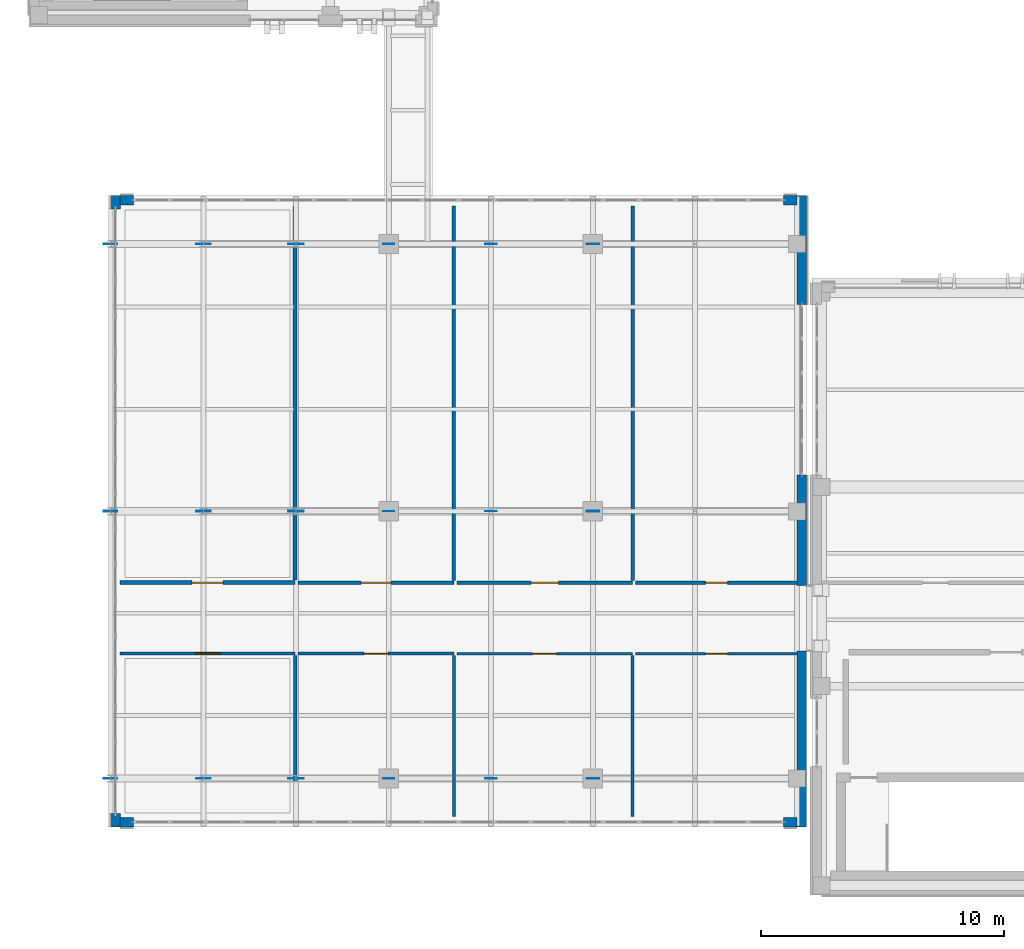
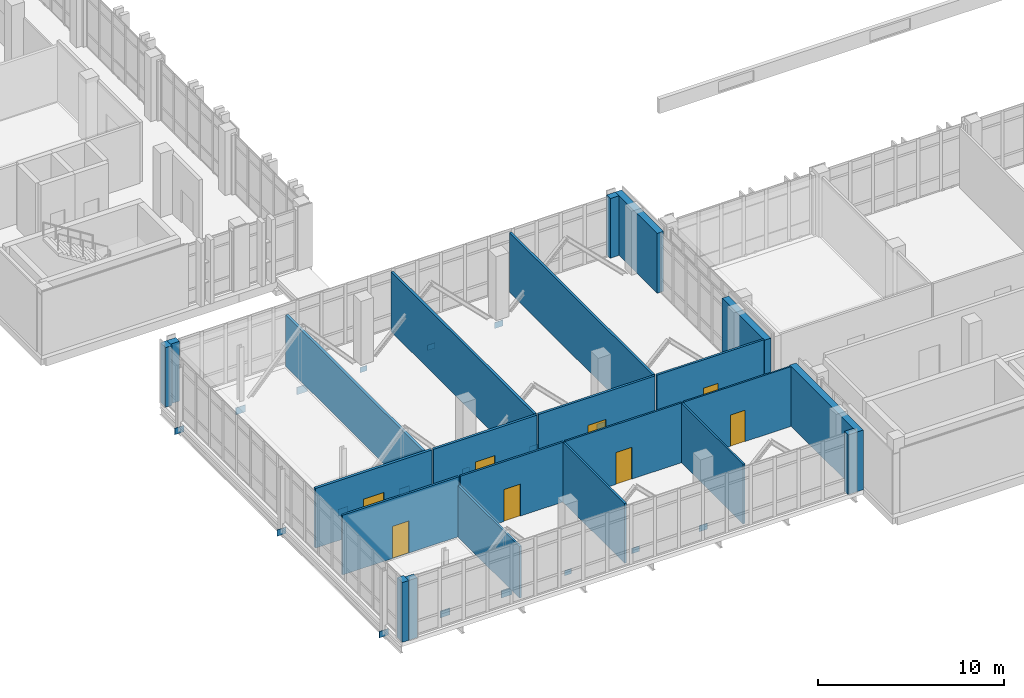
# One storey, part 128 of 158: 23 walls, 18 plates, 8 doors, 8 openings.
"""IFC4 building model written with IfcOpenShell, lengths in metres."""

from ifc_helpers import new_model, si_unit, direction, frame, frame_2d, origin, origin_2d, place, context, subcontext, project, spatial, rectangle, extrude, material, layer, layer_set, type_object, element, fill, save


model = new_model("IFC4")

# Units and contexts
model_context = context("Model", 3, precision=1e-05, world=origin(), true_north=direction((0.0, 1.0)))
body_context = subcontext(model_context, "Body", "Model", "MODEL_VIEW")
ifc_project = project(units=[si_unit("LENGTHUNIT", "METRE"), si_unit("AREAUNIT", "SQUARE_METRE"), si_unit("VOLUMEUNIT", "CUBIC_METRE"), si_unit("PLANEANGLEUNIT", "RADIAN"), si_unit("MASSUNIT", "GRAM", prefix="KILO")], contexts=[model_context])

# Site, building, storey
site_placement = place(None, origin())
site = spatial("IfcSite", under=ifc_project, at=site_placement, CompositionType="ELEMENT")
building_placement = place(site_placement, origin())
building = spatial("IfcBuilding", under=site, at=building_placement, Name="Qalavern Law Courts", CompositionType="ELEMENT")
storey_placement = place(building_placement, frame((0.0, 0.0, 18.60009765625)))
storey = spatial("IfcBuildingStorey", under=building, at=storey_placement, Name="L04", CompositionType="ELEMENT", Elevation=18.60009765625)

# Plates
ifc_material_1 = material(Name="Steel S355", Category="steel")
ifc_layer_1 = layer(ifc_material_1, 0.035888671875)
ifc_layer_set_1 = layer_set([ifc_layer_1], Name="Steel S355")
plate_type_1 = type_object("IfcPlateType", Name="STR-GP-TN1", PredefinedType="USERDEFINED", material=ifc_layer_set_1)
for number, where, z_axis, x_axis, name in (
    (1, (12.9833984375, 10.0, -0.844970703125), (0.0, 0.0, 1.0), (1.0, 0.0, 0.0), "Truss node gusset plate TN1 T1-L04-4"),
    (2, (12.9833984375, 21.0, -0.844970703125), (0.0, 0.0, 1.0), (1.0, 0.0, 0.0), "Truss node gusset plate TN1 T2-L04-4"),
    (3, (12.9833984375, 32.0, -0.844970703125), (0.0, 0.0, 1.0), (1.0, 0.0, 0.0), "Truss node gusset plate TN1 T3-L04-4"),
):
    element("IfcPlate", number, at=place(storey_placement, frame(where, z_axis=z_axis, x_axis=x_axis)), inside=storey, type_object=plate_type_1, Name=name, ObjectType="GUSSET PLATE", PredefinedType="USERDEFINED", context=body_context, shape_type="SweptSolid", body=[
        extrude(rectangle(XDim=0.64990234375, YDim=0.035888671875, at=origin_2d()), origin(), (0.0, 0.0, 1.0), 0.47998046875),
    ])
ifc_layer_2 = layer(ifc_material_1, 0.031982421875)
ifc_layer_set_2 = layer_set([ifc_layer_2], Name="Steel S355")
plate_type_2 = type_object("IfcPlateType", Name="STR-GP-TN2", PredefinedType="USERDEFINED", material=ifc_layer_set_2)
for number, where, z_axis, x_axis, name in (
    (4, (9.166748046875, 10.0, -0.830078125), (0.0, 0.0, 1.0), (1.0, 0.0, 0.0), "Truss node gusset plate TN2 T1-L04-5"),
    (5, (9.166748046875, 21.0, -0.830078125), (0.0, 0.0, 1.0), (1.0, 0.0, 0.0), "Truss node gusset plate TN2 T2-L04-5"),
    (6, (9.166748046875, 32.0, -0.830078125), (0.0, 0.0, 1.0), (1.0, 0.0, 0.0), "Truss node gusset plate TN2 T3-L04-5"),
):
    element("IfcPlate", number, at=place(storey_placement, frame(where, z_axis=z_axis, x_axis=x_axis)), inside=storey, type_object=plate_type_2, Name=name, ObjectType="GUSSET PLATE", PredefinedType="USERDEFINED", context=body_context, shape_type="SweptSolid", body=[
        extrude(rectangle(XDim=0.60009765625, YDim=0.031982421875, at=origin_2d()), origin(), (0.0, 0.0, 1.0), 0.449951171875),
    ])
ifc_layer_3 = layer(ifc_material_1, 0.028076171875)
ifc_layer_set_3 = layer_set([ifc_layer_3], Name="Steel S355")
plate_type_3 = type_object("IfcPlateType", Name="STR-GP-TN3", PredefinedType="USERDEFINED", material=ifc_layer_set_3)
for number, where, z_axis, x_axis, name in (
    (7, (5.35009765625, 10.0, -0.81494140625), (0.0, 0.0, 1.0), (1.0, 0.0, 0.0), "Truss node gusset plate TN3 T1-L04-6"),
    (8, (5.35009765625, 21.0, -0.81494140625), (0.0, 0.0, 1.0), (1.0, 0.0, 0.0), "Truss node gusset plate TN3 T2-L04-6"),
    (9, (5.35009765625, 32.0, -0.81494140625), (0.0, 0.0, 1.0), (1.0, 0.0, 0.0), "Truss node gusset plate TN3 T3-L04-6"),
):
    element("IfcPlate", number, at=place(storey_placement, frame(where, z_axis=z_axis, x_axis=x_axis)), inside=storey, type_object=plate_type_3, Name=name, ObjectType="GUSSET PLATE", PredefinedType="USERDEFINED", context=body_context, shape_type="SweptSolid", body=[
        extrude(rectangle(XDim=0.56005859375, YDim=0.028076171875, at=origin_2d()), origin(), (0.0, 0.0, 1.0), 0.419921875),
    ])
ifc_layer_4 = layer(ifc_material_1, 0.02392578125)
ifc_layer_set_4 = layer_set([ifc_layer_4], Name="Steel S355")
plate_type_4 = type_object("IfcPlateType", Name="STR-GP-TN4", PredefinedType="USERDEFINED", material=ifc_layer_set_4)
for number, where, z_axis, x_axis, name in (
    (10, (25.199951171875, 10.0, -0.804931640625), (0.0, 0.0, 1.0), (1.0, 0.0, 0.0), "Truss node gusset plate TN4 T1-L04-1"),
    (11, (25.199951171875, 21.0, -0.804931640625), (0.0, 0.0, 1.0), (1.0, 0.0, 0.0), "Truss node gusset plate TN4 T2-L04-1"),
    (12, (25.199951171875, 32.0, -0.804931640625), (0.0, 0.0, 1.0), (1.0, 0.0, 0.0), "Truss node gusset plate TN4 T3-L04-1"),
):
    element("IfcPlate", number, at=place(storey_placement, frame(where, z_axis=z_axis, x_axis=x_axis)), inside=storey, type_object=plate_type_4, Name=name, ObjectType="GUSSET PLATE", PredefinedType="USERDEFINED", context=body_context, shape_type="SweptSolid", body=[
        extrude(rectangle(XDim=0.52001953125, YDim=0.02392578125, at=origin_2d()), origin(), (0.0, 0.0, 1.0), 0.39990234375),
    ])
ifc_layer_5 = layer(ifc_material_1, 0.02001953125)
ifc_layer_set_5 = layer_set([ifc_layer_5], Name="Steel S355")
plate_type_5 = type_object("IfcPlateType", Name="STR-GP-TN5", PredefinedType="USERDEFINED", material=ifc_layer_set_5)
for number, where, z_axis, x_axis, name in (
    (13, (21.0, 10.0, -0.78515625), (0.0, 0.0, 1.0), (1.0, 0.0, 0.0), "Truss node gusset plate TN5 T1-L04-2"),
    (14, (21.0, 21.0, -0.78515625), (0.0, 0.0, 1.0), (1.0, 0.0, 0.0), "Truss node gusset plate TN5 T2-L04-2"),
    (15, (21.0, 32.0, -0.78515625), (0.0, 0.0, 1.0), (1.0, 0.0, 0.0), "Truss node gusset plate TN5 T3-L04-2"),
):
    element("IfcPlate", number, at=place(storey_placement, frame(where, z_axis=z_axis, x_axis=x_axis)), inside=storey, type_object=plate_type_5, Name=name, ObjectType="GUSSET PLATE", PredefinedType="USERDEFINED", context=body_context, shape_type="SweptSolid", body=[
        extrude(rectangle(XDim=0.47998046875, YDim=0.02001953125, at=origin_2d()), origin(), (0.0, 0.0, 1.0), 0.360107421875),
    ])
ifc_layer_6 = layer(ifc_material_1, 0.01611328125)
ifc_layer_set_6 = layer_set([ifc_layer_6], Name="Steel S355")
plate_type_6 = type_object("IfcPlateType", Name="STR-GP-TN6", PredefinedType="USERDEFINED", material=ifc_layer_set_6)
for number, where, z_axis, x_axis, name in (
    (16, (16.800048828125, 10.0, -0.77490234375), (0.0, 0.0, 1.0), (1.0, 0.0, 0.0), "Truss node gusset plate TN6 T1-L04-3"),
    (17, (16.800048828125, 21.0, -0.77490234375), (0.0, 0.0, 1.0), (1.0, 0.0, 0.0), "Truss node gusset plate TN6 T2-L04-3"),
    (18, (16.800048828125, 32.0, -0.77490234375), (0.0, 0.0, 1.0), (1.0, 0.0, 0.0), "Truss node gusset plate TN6 T3-L04-3"),
):
    element("IfcPlate", number, at=place(storey_placement, frame(where, z_axis=z_axis, x_axis=x_axis)), inside=storey, type_object=plate_type_6, Name=name, ObjectType="GUSSET PLATE", PredefinedType="USERDEFINED", context=body_context, shape_type="SweptSolid", body=[
        extrude(rectangle(XDim=0.43994140625, YDim=0.01611328125, at=origin_2d()), origin(), (0.0, 0.0, 1.0), 0.340087890625),
    ])

# Walls
ifc_material_2 = material(Name="Concrete C40/50", Category="concrete")
ifc_layer_7 = layer(ifc_material_2, 0.39990234375)
ifc_layer_set_7 = layer_set([ifc_layer_7], Name="Concrete C40/50")
wall_type_1 = type_object("IfcWallType", Name="ENV-EW-400", PredefinedType="SOLIDWALL", material=ifc_layer_set_7)
wall_1_placement = place(storey_placement, frame((5.7451171875, 8.199951171875, 0.0), z_axis=(0.0, 0.0, 1.0), x_axis=(1.0, 0.0, 0.0)))
element("IfcWall", 19, at=wall_1_placement, inside=storey, type_object=wall_type_1, Name="V1 exterior pier wall L04 south 1", PredefinedType="SOLIDWALL", context=body_context, shape_type="SweptSolid", body=[
    extrude(rectangle(XDim=0.5498046875, YDim=0.39990234375, at=frame_2d((0.27490234375, 0.0))), origin(), (0.0, 0.0, 1.0), 3.9248046875),
])
wall_2_placement = place(storey_placement, frame((33.054931640625, 8.199951171875, 0.0), z_axis=(0.0, 0.0, 1.0), x_axis=(1.0, 0.0, 0.0)))
element("IfcWall", 20, at=wall_2_placement, inside=storey, type_object=wall_type_1, Name="V1 exterior pier wall L04 south 2", PredefinedType="SOLIDWALL", context=body_context, shape_type="SweptSolid", body=[
    extrude(rectangle(XDim=0.550048828125, YDim=0.39990234375, at=frame_2d((0.27490234375, 0.0))), origin(), (0.0, 0.0, 1.0), 3.9248046875),
])
wall_3_placement = place(storey_placement, frame((33.800048828125, 8.0, 0.0), z_axis=(0.0, 0.0, 1.0), x_axis=(0.0, 1.0, 0.0)))
element("IfcWall", 21, at=wall_3_placement, inside=storey, type_object=wall_type_1, Name="V1 exterior wall L04 east 1", PredefinedType="SOLIDWALL", context=body_context, shape_type="SweptSolid", body=[
    extrude(rectangle(XDim=7.25, YDim=0.39990234375, at=frame_2d((3.625, 0.0))), origin(), (0.0, 0.0, 1.0), 3.9248046875),
])
wall_4_placement = place(storey_placement, frame((33.800048828125, 17.949951171875, 0.0), z_axis=(0.0, 0.0, 1.0), x_axis=(0.0, 1.0, 0.0)))
element("IfcWall", 22, at=wall_4_placement, inside=storey, type_object=wall_type_1, Name="V1 exterior pier wall L04 east 1", PredefinedType="SOLIDWALL", context=body_context, shape_type="SweptSolid", body=[
    extrude(rectangle(XDim=4.550048828125, YDim=0.39990234375, at=frame_2d((2.27490234375, 0.0))), origin(), (0.0, 0.0, 1.0), 3.9248046875),
])
wall_5_placement = place(storey_placement, frame((33.800048828125, 29.5, 0.0), z_axis=(0.0, 0.0, 1.0), x_axis=(0.0, 1.0, 0.0)))
element("IfcWall", 23, at=wall_5_placement, inside=storey, type_object=wall_type_1, Name="V1 exterior pier wall L04 east 2", PredefinedType="SOLIDWALL", context=body_context, shape_type="SweptSolid", body=[
    extrude(rectangle(XDim=4.5, YDim=0.39990234375, at=frame_2d((2.25, 0.0))), origin(), (0.0, 0.0, 1.0), 3.9248046875),
])
wall_6_placement = place(storey_placement, frame((33.60498046875, 33.800048828125, 0.0), z_axis=(0.0, 0.0, 1.0), x_axis=(-1.0, 0.0, 0.0)))
element("IfcWall", 24, at=wall_6_placement, inside=storey, type_object=wall_type_1, Name="V1 exterior pier wall L04 north 1", PredefinedType="SOLIDWALL", context=body_context, shape_type="SweptSolid", body=[
    extrude(rectangle(XDim=0.550048828125, YDim=0.39990234375, at=frame_2d((0.27490234375, 0.0))), origin(), (0.0, 0.0, 1.0), 3.9248046875),
])
wall_7_placement = place(storey_placement, frame((6.294921875, 33.800048828125, 0.0), z_axis=(0.0, 0.0, 1.0), x_axis=(-1.0, 0.0, 0.0)))
element("IfcWall", 25, at=wall_7_placement, inside=storey, type_object=wall_type_1, Name="V1 exterior pier wall L04 north 2", PredefinedType="SOLIDWALL", context=body_context, shape_type="SweptSolid", body=[
    extrude(rectangle(XDim=0.5498046875, YDim=0.39990234375, at=frame_2d((0.27490234375, 0.0))), origin(), (0.0, 0.0, 1.0), 3.9248046875),
])
for number, where, z_axis, x_axis, name in (
    (26, (5.550048828125, 34.0, 0.0), (0.0, 0.0, 1.0), (0.0, -1.0, 0.0), "V1 exterior pier wall L04 west 1"),
    (27, (5.550048828125, 8.550048828125, 0.0), (0.0, 0.0, 1.0), (0.0, -1.0, 0.0), "V1 exterior pier wall L04 west 2"),
):
    element("IfcWall", number, at=place(storey_placement, frame(where, z_axis=z_axis, x_axis=x_axis)), inside=storey, type_object=wall_type_1, Name=name, PredefinedType="SOLIDWALL", context=body_context, shape_type="SweptSolid", body=[
        extrude(rectangle(XDim=0.550048828125, YDim=0.39990234375, at=frame_2d((0.27490234375, 0.0))), origin(), (0.0, 0.0, 1.0), 3.9248046875),
    ])

# Wall, opening, door
ifc_material_3 = material(Name="Gypsum sanitary partition")
ifc_layer_8 = layer(ifc_material_3, 0.10205078125)
ifc_layer_set_8 = layer_set([ifc_layer_8], Name="Gypsum sanitary partition")
wall_type_2 = type_object("IfcWallType", Name="INT-PW-102", PredefinedType="PARTITIONING", material=ifc_layer_set_8)
wall_8_placement = place(storey_placement, frame((26.951904296875, 15.139892578125, 0.0), z_axis=(0.0, 0.0, 1.0), x_axis=(1.0, 0.0, 0.0)))
wall_8 = element("IfcWall", 28, at=wall_8_placement, inside=storey, type_object=wall_type_2, Name="Accessible WC corridor partition L04", PredefinedType="PARTITIONING", context=body_context, shape_type="SweptSolid", body=[
    extrude(rectangle(XDim=6.668212890625, YDim=0.10205078125, at=frame_2d((3.333984375, 0.0))), origin(), (0.0, 0.0, 1.0), 3.9248046875),
])
opening_1_placement = place(wall_8_placement, frame((2.8740234375, 0.0, 0.0)))
opening_1 = element("IfcOpeningElement", 29, at=opening_1_placement, cuts=wall_8, Name="Opening L04-D144", PredefinedType="OPENING", context=body_context, shape_type="SweptSolid", body=[
    extrude(rectangle(XDim=0.919921875, YDim=2.06005859375, at=frame_2d((0.4599609375, 1.030029296875))), frame((0.0, 0.06591796875, 0.0), z_axis=(0.0, -1.0, 0.0), x_axis=(1.0, 0.0, 0.0)), (0.0, 0.0, 1.0), 0.1318359375),
])
ifc_material_4 = material(Name="Public and Staff WC door")
door_type_1 = type_object("IfcDoorType", Name="INT-ID-920x2060", OperationType="NOTDEFINED", PredefinedType="DOOR", material=ifc_material_4)
door_1_placement = place(opening_1_placement, frame((0.919921875, 0.0, 0.0), z_axis=(0.0, 0.0, 1.0), x_axis=(-1.0, 0.0, 0.0)))
door_1 = element("IfcDoor", 30, at=door_1_placement, inside=storey, type_object=door_type_1, Name="Accessible WC door L04", OperationType="SINGLE_SWING_LEFT", OverallHeight=2.06005859375, OverallWidth=0.919921875, PredefinedType="DOOR", context=body_context, shape_type="SweptSolid", body=[
    extrude(rectangle(XDim=0.919921875, YDim=2.06005859375, at=frame_2d((0.4599609375, 1.030029296875))), frame((0.0, 0.02490234375, 0.0), z_axis=(0.0, -1.0, 0.0), x_axis=(1.0, 0.0, 0.0)), (0.0, 0.0, 1.0), 0.050048828125),
])
fill(opening_1, door_1)

ifc_material_5 = material(Name="Gypsum stud partition")
ifc_layer_9 = layer(ifc_material_5, 0.112060546875)
ifc_layer_set_9 = layer_set([ifc_layer_9], Name="Gypsum stud partition")
wall_type_3 = type_object("IfcWallType", Name="INT-PW-112", PredefinedType="PARTITIONING", material=ifc_layer_set_9)
wall_9_placement = place(storey_placement, frame((19.597900390625, 15.139892578125, 0.0), z_axis=(0.0, 0.0, 1.0), x_axis=(1.0, 0.0, 0.0)))
wall_9 = element("IfcWall", 31, at=wall_9_placement, inside=storey, type_object=wall_type_3, Name="Legal Aid Intake Suite corridor partition L04", PredefinedType="PARTITIONING", context=body_context, shape_type="SweptSolid", body=[
    extrude(rectangle(XDim=7.234130859375, YDim=0.112060546875, at=frame_2d((3.6171875, 0.0))), origin(), (0.0, 0.0, 1.0), 3.9248046875),
])
opening_2_placement = place(wall_9_placement, frame((3.126953125, 0.0, 0.0)))
opening_2 = element("IfcOpeningElement", 32, at=opening_2_placement, cuts=wall_9, Name="Opening L04-D143", PredefinedType="OPENING", context=body_context, shape_type="SweptSolid", body=[
    extrude(rectangle(XDim=0.97998046875, YDim=2.090087890625, at=frame_2d((0.489990234375, 1.044921875))), frame((0.0, 0.07080078125, 0.0), z_axis=(0.0, -1.0, 0.0), x_axis=(1.0, 0.0, 0.0)), (0.0, 0.0, 1.0), 0.141845703125),
])
ifc_material_6 = material(Name="Timber Legal Research Office door", Category="wood")
door_type_2 = type_object("IfcDoorType", Name="INT-ID-980x2090", OperationType="NOTDEFINED", PredefinedType="DOOR", material=ifc_material_6)
door_2_placement = place(opening_2_placement, frame((0.97998046875, 0.0, 0.0), z_axis=(0.0, 0.0, 1.0), x_axis=(-1.0, 0.0, 0.0)))
door_2 = element("IfcDoor", 33, at=door_2_placement, inside=storey, type_object=door_type_2, Name="Legal Aid Intake Suite door L04", OperationType="SINGLE_SWING_RIGHT", OverallHeight=2.090087890625, OverallWidth=0.97998046875, PredefinedType="DOOR", context=body_context, shape_type="SweptSolid", body=[
    extrude(rectangle(XDim=0.97998046875, YDim=2.090087890625, at=frame_2d((0.489990234375, 1.044921875))), frame((0.0, 0.02490234375, 0.0), z_axis=(0.0, -1.0, 0.0), x_axis=(1.0, 0.0, 0.0)), (0.0, 0.0, 1.0), 0.050048828125),
])
fill(opening_2, door_2)

# Wall
wall_10_placement = place(storey_placement, frame((26.83203125, 8.43994140625, 0.0), z_axis=(0.0, 0.0, 1.0), x_axis=(0.0, 1.0, 0.0)))
element("IfcWall", 34, at=wall_10_placement, inside=storey, type_object=wall_type_3, Name="Legal Aid Intake Suite cross partition L04 east", PredefinedType="PARTITIONING", context=body_context, shape_type="SweptSolid", body=[
    extrude(rectangle(XDim=6.6240234375, YDim=0.112060546875, at=frame_2d((3.31201171875, 0.0))), origin(), (0.0, 0.0, 1.0), 3.9248046875),
])

# Wall, opening, door
ifc_layer_10 = layer(ifc_material_5, 0.1220703125)
ifc_layer_set_10 = layer_set([ifc_layer_10], Name="Gypsum stud partition")
wall_type_4 = type_object("IfcWallType", Name="INT-PW-122", PredefinedType="PARTITIONING", material=ifc_layer_set_10)
wall_11_placement = place(storey_placement, frame((13.068115234375, 15.139892578125, 0.0), z_axis=(0.0, 0.0, 1.0), x_axis=(1.0, 0.0, 0.0)))
wall_11 = element("IfcWall", 35, at=wall_11_placement, inside=storey, type_object=wall_type_4, Name="Jury Waiting Lounge corridor partition L04", PredefinedType="PARTITIONING", context=body_context, shape_type="SweptSolid", body=[
    extrude(rectangle(XDim=6.409912109375, YDim=0.1220703125, at=frame_2d((3.205078125, 0.0))), origin(), (0.0, 0.0, 1.0), 3.9248046875),
])
opening_3_placement = place(wall_11_placement, frame((2.705078125, 0.0, 0.0)))
opening_3 = element("IfcOpeningElement", 36, at=opening_3_placement, cuts=wall_11, Name="Opening L04-D142", PredefinedType="OPENING", context=body_context, shape_type="SweptSolid", body=[
    extrude(rectangle(XDim=1.0, YDim=2.10009765625, at=frame_2d((0.5, 1.050048828125))), frame((0.0, 0.075927734375, 0.0), z_axis=(0.0, -1.0, 0.0), x_axis=(1.0, 0.0, 0.0)), (0.0, 0.0, 1.0), 0.15185546875),
])
ifc_material_7 = material(Name="Timber Judicial Clerks' Office door", Category="wood")
door_type_3 = type_object("IfcDoorType", Name="INT-ID-1000x2100", OperationType="NOTDEFINED", PredefinedType="DOOR", material=ifc_material_7)
door_3_placement = place(opening_3_placement, frame((1.0, 0.0, 0.0), z_axis=(0.0, 0.0, 1.0), x_axis=(-1.0, 0.0, 0.0)))
door_3 = element("IfcDoor", 37, at=door_3_placement, inside=storey, type_object=door_type_3, Name="Jury Waiting Lounge door L04", OperationType="SINGLE_SWING_LEFT", OverallHeight=2.10009765625, OverallWidth=1.0, PredefinedType="DOOR", context=body_context, shape_type="SweptSolid", body=[
    extrude(rectangle(XDim=1.0, YDim=2.10009765625, at=frame_2d((0.5, 1.050048828125))), frame((0.0, 0.02490234375, 0.0), z_axis=(0.0, -1.0, 0.0), x_axis=(1.0, 0.0, 0.0)), (0.0, 0.0, 1.0), 0.050048828125),
])
fill(opening_3, door_3)

# Wall
wall_12_placement = place(storey_placement, frame((19.47802734375, 8.43994140625, 0.0), z_axis=(0.0, 0.0, 1.0), x_axis=(0.0, 1.0, 0.0)))
element("IfcWall", 38, at=wall_12_placement, inside=storey, type_object=wall_type_4, Name="Jury Waiting Lounge cross partition L04 east", PredefinedType="PARTITIONING", context=body_context, shape_type="SweptSolid", body=[
    extrude(rectangle(XDim=6.619140625, YDim=0.1220703125, at=frame_2d((3.3095703125, 0.0))), origin(), (0.0, 0.0, 1.0), 3.9248046875),
])

# Wall, opening, door
ifc_layer_11 = layer(ifc_material_5, 0.132080078125)
ifc_layer_set_11 = layer_set([ifc_layer_11], Name="Gypsum stud partition")
wall_type_5 = type_object("IfcWallType", Name="INT-PW-132", PredefinedType="PARTITIONING", material=ifc_layer_set_11)
wall_13_placement = place(storey_placement, frame((5.72998046875, 15.139892578125, 0.0), z_axis=(0.0, 0.0, 1.0), x_axis=(1.0, 0.0, 0.0)))
wall_13 = element("IfcWall", 39, at=wall_13_placement, inside=storey, type_object=wall_type_5, Name="Appellate Public Foyer corridor partition L04", PredefinedType="PARTITIONING", context=body_context, shape_type="SweptSolid", body=[
    extrude(rectangle(XDim=7.218017578125, YDim=0.132080078125, at=frame_2d((3.60888671875, 0.0))), origin(), (0.0, 0.0, 1.0), 3.9248046875),
])
opening_4_placement = place(wall_13_placement, frame((3.093994140625, 0.0, 0.0)))
opening_4 = element("IfcOpeningElement", 40, at=opening_4_placement, cuts=wall_13, Name="Opening L04-D141", PredefinedType="OPENING", context=body_context, shape_type="SweptSolid", body=[
    extrude(rectangle(XDim=1.030029296875, YDim=2.110107421875, at=frame_2d((0.51513671875, 1.05517578125))), frame((0.0, 0.0810546875, 0.0), z_axis=(0.0, -1.0, 0.0), x_axis=(1.0, 0.0, 0.0)), (0.0, 0.0, 1.0), 0.161865234375),
])
ifc_material_8 = material(Name="Oak Mediation Suite door")
door_type_4 = type_object("IfcDoorType", Name="INT-ID-1030x2110", OperationType="NOTDEFINED", PredefinedType="DOOR", material=ifc_material_8)
door_4_placement = place(opening_4_placement, frame((1.030029296875, 0.0, 0.0), z_axis=(0.0, 0.0, 1.0), x_axis=(-1.0, 0.0, 0.0)))
door_4 = element("IfcDoor", 41, at=door_4_placement, inside=storey, type_object=door_type_4, Name="Appellate Public Foyer door L04", OperationType="SINGLE_SWING_RIGHT", OverallHeight=2.110107421875, OverallWidth=1.030029296875, PredefinedType="DOOR", context=body_context, shape_type="SweptSolid", body=[
    extrude(rectangle(XDim=1.030029296875, YDim=2.110107421875, at=frame_2d((0.51513671875, 1.05517578125))), frame((0.0, 0.02490234375, 0.0), z_axis=(0.0, -1.0, 0.0), x_axis=(1.0, 0.0, 0.0)), (0.0, 0.0, 1.0), 0.050048828125),
])
fill(opening_4, door_4)

# Wall
wall_14_placement = place(storey_placement, frame((12.947998046875, 8.43994140625, 0.0), z_axis=(0.0, 0.0, 1.0), x_axis=(0.0, 1.0, 0.0)))
element("IfcWall", 42, at=wall_14_placement, inside=storey, type_object=wall_type_5, Name="Appellate Public Foyer cross partition L04 east", PredefinedType="PARTITIONING", context=body_context, shape_type="SweptSolid", body=[
    extrude(rectangle(XDim=6.614013671875, YDim=0.132080078125, at=frame_2d((3.30712890625, 0.0))), origin(), (0.0, 0.0, 1.0), 3.3837890625),
])

# Wall, opening, door
wall_15_placement = place(storey_placement, frame((26.951904296875, 18.06005859375, 0.0), z_axis=(0.0, 0.0, 1.0), x_axis=(1.0, 0.0, 0.0)))
wall_15 = element("IfcWall", 43, at=wall_15_placement, inside=storey, type_object=wall_type_5, Name="Accessible WC corridor partition L04", PredefinedType="PARTITIONING", context=body_context, shape_type="SweptSolid", body=[
    extrude(rectangle(XDim=6.668212890625, YDim=0.132080078125, at=frame_2d((3.333984375, 0.0))), origin(), (0.0, 0.0, 1.0), 3.9248046875),
])
opening_5_placement = place(wall_15_placement, frame((2.8740234375, 0.0, 0.0)))
opening_5 = element("IfcOpeningElement", 44, at=opening_5_placement, cuts=wall_15, Name="Opening L04-D148", PredefinedType="OPENING", context=body_context, shape_type="SweptSolid", body=[
    extrude(rectangle(XDim=0.919921875, YDim=2.06005859375, at=frame_2d((0.4599609375, 1.030029296875))), frame((0.0, 0.0810546875, 0.0), z_axis=(0.0, -1.0, 0.0), x_axis=(1.0, 0.0, 0.0)), (0.0, 0.0, 1.0), 0.161865234375),
])
door_5_placement = place(opening_5_placement, origin())
door_5 = element("IfcDoor", 45, at=door_5_placement, inside=storey, type_object=door_type_1, Name="Accessible WC door L04", OperationType="SINGLE_SWING_LEFT", OverallHeight=2.06005859375, OverallWidth=0.919921875, PredefinedType="DOOR", context=body_context, shape_type="SweptSolid", body=[
    extrude(rectangle(XDim=0.919921875, YDim=2.06005859375, at=frame_2d((0.4599609375, 1.030029296875))), frame((0.0, 0.02490234375, 0.0), z_axis=(0.0, -1.0, 0.0), x_axis=(1.0, 0.0, 0.0)), (0.0, 0.0, 1.0), 0.050048828125),
])
fill(opening_5, door_5)

ifc_layer_12 = layer(ifc_material_5, 0.14208984375)
ifc_layer_set_12 = layer_set([ifc_layer_12], Name="Gypsum stud partition")
wall_type_6 = type_object("IfcWallType", Name="INT-PW-142", PredefinedType="PARTITIONING", material=ifc_layer_set_12)
wall_16_placement = place(storey_placement, frame((19.597900390625, 18.06005859375, 0.0), z_axis=(0.0, 0.0, 1.0), x_axis=(1.0, 0.0, 0.0)))
wall_16 = element("IfcWall", 46, at=wall_16_placement, inside=storey, type_object=wall_type_6, Name="Legal Aid Intake Suite corridor partition L04", PredefinedType="PARTITIONING", context=body_context, shape_type="SweptSolid", body=[
    extrude(rectangle(XDim=7.234130859375, YDim=0.14208984375, at=frame_2d((3.6171875, 0.0))), origin(), (0.0, 0.0, 1.0), 3.9248046875),
])
opening_6_placement = place(wall_16_placement, frame((3.056884765625, 0.0, 0.0)))
opening_6 = element("IfcOpeningElement", 47, at=opening_6_placement, cuts=wall_16, Name="Opening L04-D147", PredefinedType="OPENING", context=body_context, shape_type="SweptSolid", body=[
    extrude(rectangle(XDim=1.1201171875, YDim=2.139892578125, at=frame_2d((0.56005859375, 1.06982421875))), frame((0.0, 0.0859375, 0.0), z_axis=(0.0, -1.0, 0.0), x_axis=(1.0, 0.0, 0.0)), (0.0, 0.0, 1.0), 0.171875),
])
ifc_material_9 = material(Name="Solid oak Appellate Chambers door")
door_type_5 = type_object("IfcDoorType", Name="INT-ID-1120x2140", OperationType="NOTDEFINED", PredefinedType="DOOR", material=ifc_material_9)
door_6_placement = place(opening_6_placement, origin())
door_6 = element("IfcDoor", 48, at=door_6_placement, inside=storey, type_object=door_type_5, Name="Legal Aid Intake Suite door L04", OperationType="SINGLE_SWING_RIGHT", OverallHeight=2.139892578125, OverallWidth=1.1201171875, PredefinedType="DOOR", context=body_context, shape_type="SweptSolid", body=[
    extrude(rectangle(XDim=1.1201171875, YDim=2.139892578125, at=frame_2d((0.56005859375, 1.06982421875))), frame((0.0, 0.02490234375, 0.0), z_axis=(0.0, -1.0, 0.0), x_axis=(1.0, 0.0, 0.0)), (0.0, 0.0, 1.0), 0.050048828125),
])
fill(opening_6, door_6)

# Wall
wall_17_placement = place(storey_placement, frame((26.83203125, 18.15087890625, 0.0), z_axis=(0.0, 0.0, 1.0), x_axis=(0.0, 1.0, 0.0)))
element("IfcWall", 49, at=wall_17_placement, inside=storey, type_object=wall_type_6, Name="Legal Aid Intake Suite cross partition L04 east", PredefinedType="PARTITIONING", context=body_context, shape_type="SweptSolid", body=[
    extrude(rectangle(XDim=15.4091796875, YDim=0.14208984375, at=frame_2d((7.70458984375, 0.0))), origin(), (0.0, 0.0, 1.0), 3.9248046875),
])

# Wall, opening, door
ifc_layer_13 = layer(ifc_material_5, 0.152099609375)
ifc_layer_set_13 = layer_set([ifc_layer_13], Name="Gypsum stud partition")
wall_type_7 = type_object("IfcWallType", Name="INT-PW-152", PredefinedType="PARTITIONING", material=ifc_layer_set_13)
wall_18_placement = place(storey_placement, frame((13.068115234375, 18.06005859375, 0.0), z_axis=(0.0, 0.0, 1.0), x_axis=(1.0, 0.0, 0.0)))
wall_18 = element("IfcWall", 50, at=wall_18_placement, inside=storey, type_object=wall_type_7, Name="Jury Waiting Lounge corridor partition L04", PredefinedType="PARTITIONING", context=body_context, shape_type="SweptSolid", body=[
    extrude(rectangle(XDim=6.409912109375, YDim=0.152099609375, at=frame_2d((3.205078125, 0.0))), origin(), (0.0, 0.0, 1.0), 3.9248046875),
])
opening_7_placement = place(wall_18_placement, frame((2.594970703125, 0.0, 0.0)))
opening_7 = element("IfcOpeningElement", 51, at=opening_7_placement, cuts=wall_18, Name="Opening L04-D146", PredefinedType="OPENING", context=body_context, shape_type="SweptSolid", body=[
    extrude(rectangle(XDim=1.219970703125, YDim=2.179931640625, at=frame_2d((0.60986328125, 1.08984375))), frame((0.0, 0.0908203125, 0.0), z_axis=(0.0, -1.0, 0.0), x_axis=(1.0, 0.0, 0.0)), (0.0, 0.0, 1.0), 0.181884765625),
])
ifc_material_10 = material(Name="Wide oak Plenary Boardroom door")
door_type_6 = type_object("IfcDoorType", Name="INT-ID-1220x2180", OperationType="NOTDEFINED", PredefinedType="DOOR", material=ifc_material_10)
door_7_placement = place(opening_7_placement, origin())
door_7 = element("IfcDoor", 52, at=door_7_placement, inside=storey, type_object=door_type_6, Name="Jury Waiting Lounge door L04", OperationType="SINGLE_SWING_LEFT", OverallHeight=2.179931640625, OverallWidth=1.219970703125, PredefinedType="DOOR", context=body_context, shape_type="SweptSolid", body=[
    extrude(rectangle(XDim=1.219970703125, YDim=2.179931640625, at=frame_2d((0.60986328125, 1.08984375))), frame((0.0, 0.02490234375, 0.0), z_axis=(0.0, -1.0, 0.0), x_axis=(1.0, 0.0, 0.0)), (0.0, 0.0, 1.0), 0.050048828125),
])
fill(opening_7, door_7)

# Wall
wall_19_placement = place(storey_placement, frame((19.47802734375, 18.156005859375, 0.0), z_axis=(0.0, 0.0, 1.0), x_axis=(0.0, 1.0, 0.0)))
element("IfcWall", 53, at=wall_19_placement, inside=storey, type_object=wall_type_7, Name="Jury Waiting Lounge cross partition L04 east", PredefinedType="PARTITIONING", context=body_context, shape_type="SweptSolid", body=[
    extrude(rectangle(XDim=15.404052734375, YDim=0.152099609375, at=frame_2d((7.7021484375, 0.0))), origin(), (0.0, 0.0, 1.0), 3.9248046875),
])

# Wall, opening, door
ifc_layer_14 = layer(ifc_material_5, 0.162109375)
ifc_layer_set_14 = layer_set([ifc_layer_14], Name="Gypsum stud partition")
wall_type_8 = type_object("IfcWallType", Name="INT-PW-162", PredefinedType="PARTITIONING", material=ifc_layer_set_14)
wall_20_placement = place(storey_placement, frame((5.72998046875, 18.06005859375, 0.0), z_axis=(0.0, 0.0, 1.0), x_axis=(1.0, 0.0, 0.0)))
wall_20 = element("IfcWall", 54, at=wall_20_placement, inside=storey, type_object=wall_type_8, Name="Appellate Public Foyer corridor partition L04", PredefinedType="PARTITIONING", context=body_context, shape_type="SweptSolid", body=[
    extrude(rectangle(XDim=7.218017578125, YDim=0.162109375, at=frame_2d((3.60888671875, 0.0))), origin(), (0.0, 0.0, 1.0), 3.9248046875),
])
opening_8_placement = place(wall_20_placement, frame((2.968994140625, 0.0, 0.0)))
opening_8 = element("IfcOpeningElement", 55, at=opening_8_placement, cuts=wall_20, Name="Opening L04-D145", PredefinedType="OPENING", context=body_context, shape_type="SweptSolid", body=[
    extrude(rectangle(XDim=1.280029296875, YDim=2.179931640625, at=frame_2d((0.64013671875, 1.08984375))), frame((0.0, 0.095947265625, 0.0), z_axis=(0.0, -1.0, 0.0), x_axis=(1.0, 0.0, 0.0)), (0.0, 0.0, 1.0), 0.19189453125),
])
ifc_material_11 = material(Name="Wide oak Judicial Conference door")
door_type_7 = type_object("IfcDoorType", Name="INT-ID-1280x2180", OperationType="NOTDEFINED", PredefinedType="DOOR", material=ifc_material_11)
door_8_placement = place(opening_8_placement, origin())
door_8 = element("IfcDoor", 56, at=door_8_placement, inside=storey, type_object=door_type_7, Name="Appellate Public Foyer door L04", OperationType="SINGLE_SWING_RIGHT", OverallHeight=2.179931640625, OverallWidth=1.280029296875, PredefinedType="DOOR", context=body_context, shape_type="SweptSolid", body=[
    extrude(rectangle(XDim=1.280029296875, YDim=2.179931640625, at=frame_2d((0.64013671875, 1.08984375))), frame((0.0, 0.02490234375, 0.0), z_axis=(0.0, -1.0, 0.0), x_axis=(1.0, 0.0, 0.0)), (0.0, 0.0, 1.0), 0.050048828125),
])
fill(opening_8, door_8)

# Wall
wall_21_placement = place(storey_placement, frame((12.947998046875, 18.160888671875, 0.0), z_axis=(0.0, 0.0, 1.0), x_axis=(0.0, 1.0, 0.0)))
element("IfcWall", 57, at=wall_21_placement, inside=storey, type_object=wall_type_8, Name="Appellate Public Foyer cross partition L04 east", PredefinedType="PARTITIONING", context=body_context, shape_type="SweptSolid", body=[
    extrude(rectangle(XDim=15.399169921875, YDim=0.162109375, at=frame_2d((7.69970703125, 0.0))), origin(), (0.0, 0.0, 1.0), 3.3837890625),
])

save(model, "model.ifc")
